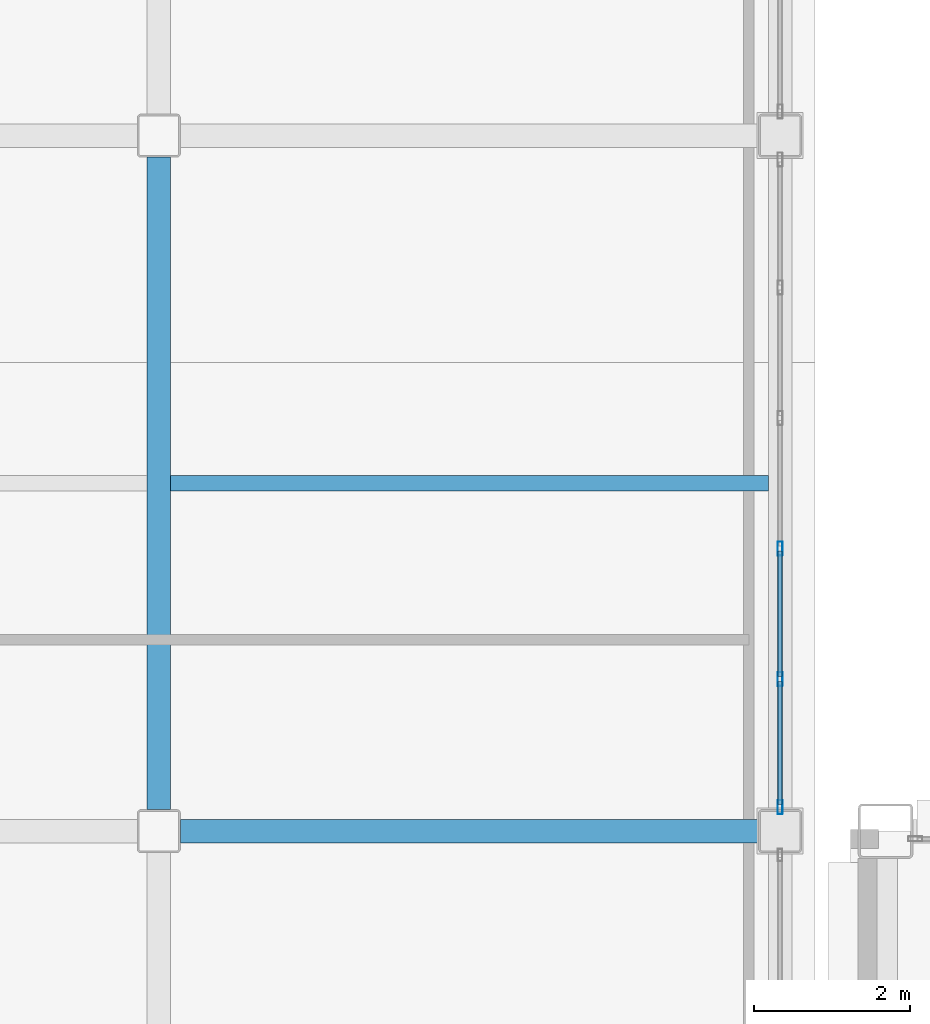
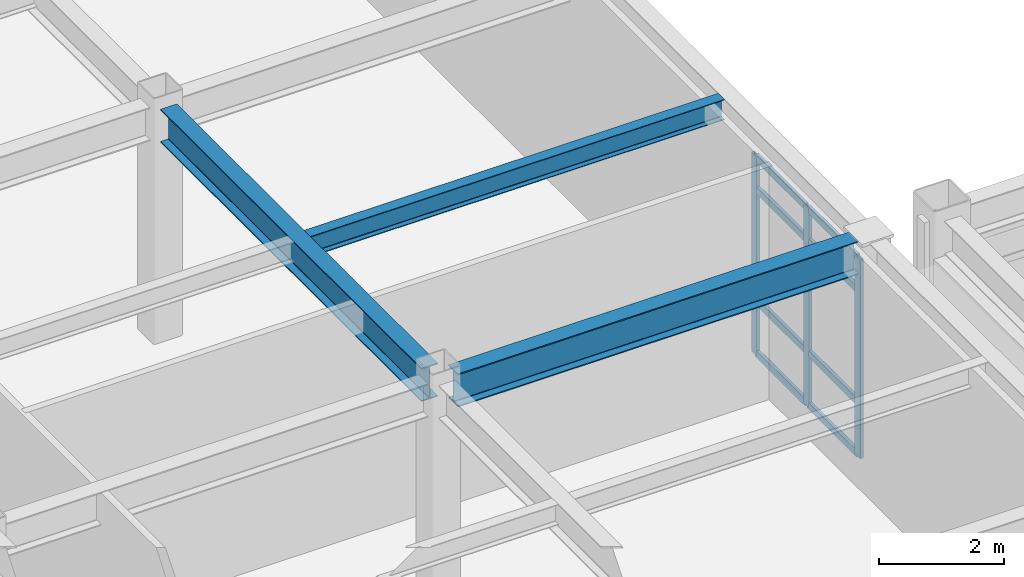
# One storey, part 56 of 154: 11 members, 3 beams, 1 element without a shape of its own.
"""IFC4 building model written with IfcOpenShell, lengths in metres."""

from ifc_helpers import new_model, si_unit, direction, frame, origin, origin_2d, place, context, subcontext, project, spatial, hollow_rectangle, i_section, extrude, material, layer, layer_set, material_profile, profile_set, type_object, element, aggregate, save


model = new_model("IFC4")

# Units and contexts
model_context = context("Model", 3, precision=1e-05, world=origin(), true_north=direction((0.0, 1.0)))
body_context = subcontext(model_context, "Body", "Model", "MODEL_VIEW")
ifc_project = project(units=[si_unit("LENGTHUNIT", "METRE"), si_unit("AREAUNIT", "SQUARE_METRE"), si_unit("VOLUMEUNIT", "CUBIC_METRE"), si_unit("PLANEANGLEUNIT", "RADIAN"), si_unit("MASSUNIT", "GRAM", prefix="KILO")], contexts=[model_context])

# Site, building, storey
site_placement = place(None, origin())
site = spatial("IfcSite", under=ifc_project, at=site_placement, CompositionType="ELEMENT")
building_placement = place(site_placement, origin())
building = spatial("IfcBuilding", under=site, at=building_placement, Name="Kazehara Bluff Congress Hotel", CompositionType="ELEMENT")
storey_placement = place(building_placement, frame((0.0, 0.0, 10.199951171875)))
storey = spatial("IfcBuildingStorey", under=building, at=storey_placement, Name="L02", CompositionType="ELEMENT", Elevation=10.199951171875)

# Curtain wall, members
ifc_material_1 = material(Name="Anodised aluminium", Category="aluminium")
ifc_layer = layer(ifc_material_1, 0.159912109375)
ifc_layer_set = layer_set([ifc_layer], Name="Anodised aluminium")
curtain_wall_type = type_object("IfcCurtainWallType", Name="TP-CW-58", PredefinedType="NOTDEFINED", material=ifc_layer_set)
curtain_wall_placement = place(storey_placement, origin())
curtain_wall = element("IfcCurtainWall", 1, at=curtain_wall_placement, inside=storey, type_object=curtain_wall_type, Name="L02 curtain wall CW-58 CW-V4-L02-X10920-3228", PredefinedType="NOTDEFINED")
ifc_material_2 = material(Name="Anodised aluminium", Category="aluminium")
ifc_material_profile_1 = material_profile(ifc_material_2, hollow_rectangle(XDim=0.06494140625, YDim=0.179931640625, WallThickness=0.00390625, InnerFilletRadius=0.00390625, OuterFilletRadius=0.008056640625, at=origin_2d()))
ifc_profile_set_1 = profile_set([ifc_material_profile_1], Name="Anodised aluminium")
member_type_1 = type_object("IfcMemberType", Name="TP-CWM-02", PredefinedType="MULLION", material=ifc_profile_set_1)
member_1_placement = place(storey_placement, frame((109.199951171875, 32.3076171875, 0.0), z_axis=(0.0, 0.0, 1.0), x_axis=(-1.0, 0.0, 0.0)))
member_1 = element("IfcMember", 2, at=member_1_placement, type_object=member_type_1, Name="CW-58 mullion 1", PredefinedType="MULLION", context=body_context, shape_type="SweptSolid", body=[
    extrude(hollow_rectangle(XDim=0.06494140625, YDim=0.179931640625, WallThickness=0.00390625, InnerFilletRadius=0.00390625, OuterFilletRadius=0.008056640625, at=origin_2d()), origin(), (0.0, 0.0, 1.0), 3.885009765625),
])
member_2_placement = place(storey_placement, frame((109.199951171875, 33.945068359375, 0.0), z_axis=(0.0, 0.0, 1.0), x_axis=(-1.0, 0.0, 0.0)))
member_2 = element("IfcMember", 3, at=member_2_placement, type_object=member_type_1, Name="CW-58 mullion 2", PredefinedType="MULLION", context=body_context, shape_type="SweptSolid", body=[
    extrude(hollow_rectangle(XDim=0.06494140625, YDim=0.179931640625, WallThickness=0.00390625, InnerFilletRadius=0.00390625, OuterFilletRadius=0.008056640625, at=origin_2d()), origin(), (0.0, 0.0, 1.0), 3.885009765625),
])
member_3_placement = place(storey_placement, frame((109.199951171875, 35.614990234375, 0.0), z_axis=(0.0, 0.0, 1.0), x_axis=(-1.0, 0.0, 0.0)))
member_3 = element("IfcMember", 4, at=member_3_placement, type_object=member_type_1, Name="CW-58 mullion 3", PredefinedType="MULLION", context=body_context, shape_type="SweptSolid", body=[
    extrude(hollow_rectangle(XDim=0.06494140625, YDim=0.179931640625, WallThickness=0.00390625, InnerFilletRadius=0.00390625, OuterFilletRadius=0.008056640625, at=origin_2d()), origin(), (0.0, 0.0, 1.0), 3.885009765625),
])
ifc_material_3 = material(Name="Anodised aluminium", Category="aluminium")
ifc_material_profile_2 = material_profile(ifc_material_3, hollow_rectangle(XDim=0.06494140625, YDim=0.139892578125, WallThickness=0.00390625, InnerFilletRadius=0.00390625, OuterFilletRadius=0.008056640625, at=origin_2d()))
ifc_profile_set_2 = profile_set([ifc_material_profile_2], Name="Anodised aluminium")
member_type_2 = type_object("IfcMemberType", Name="TP-CWT-02", PredefinedType="USERDEFINED", material=ifc_profile_set_2)
member_4_placement = place(storey_placement, frame((109.199951171875, 32.340087890625, 0.032470703125), z_axis=(0.0, 1.0, 0.0), x_axis=(-1.0, 0.0, 0.0)))
member_4 = element("IfcMember", 5, at=member_4_placement, type_object=member_type_2, Name="CW-58 transom 1.1", ObjectType="TRANSOM", PredefinedType="USERDEFINED", context=body_context, shape_type="SweptSolid", body=[
    extrude(hollow_rectangle(XDim=0.06494140625, YDim=0.139892578125, WallThickness=0.00390625, InnerFilletRadius=0.00390625, OuterFilletRadius=0.008056640625, at=origin_2d()), origin(), (0.0, 0.0, 1.0), 1.572509765625),
])
member_5_placement = place(storey_placement, frame((109.199951171875, 32.340087890625, 1.050048828125), z_axis=(0.0, 1.0, 0.0), x_axis=(-1.0, 0.0, 0.0)))
member_5 = element("IfcMember", 6, at=member_5_placement, type_object=member_type_2, Name="CW-58 transom 1.2", ObjectType="TRANSOM", PredefinedType="USERDEFINED", context=body_context, shape_type="SweptSolid", body=[
    extrude(hollow_rectangle(XDim=0.06494140625, YDim=0.139892578125, WallThickness=0.00390625, InnerFilletRadius=0.00390625, OuterFilletRadius=0.008056640625, at=origin_2d()), origin(), (0.0, 0.0, 1.0), 1.572509765625),
])
member_6_placement = place(storey_placement, frame((109.199951171875, 32.340087890625, 3.235107421875), z_axis=(0.0, 1.0, 0.0), x_axis=(-1.0, 0.0, 0.0)))
member_6 = element("IfcMember", 7, at=member_6_placement, type_object=member_type_2, Name="CW-58 transom 1.3", ObjectType="TRANSOM", PredefinedType="USERDEFINED", context=body_context, shape_type="SweptSolid", body=[
    extrude(hollow_rectangle(XDim=0.06494140625, YDim=0.139892578125, WallThickness=0.00390625, InnerFilletRadius=0.00390625, OuterFilletRadius=0.008056640625, at=origin_2d()), origin(), (0.0, 0.0, 1.0), 1.572509765625),
])
member_7_placement = place(storey_placement, frame((109.199951171875, 32.340087890625, 3.8525390625), z_axis=(0.0, 1.0, 0.0), x_axis=(-1.0, 0.0, 0.0)))
member_7 = element("IfcMember", 8, at=member_7_placement, type_object=member_type_2, Name="CW-58 transom 1.4", ObjectType="TRANSOM", PredefinedType="USERDEFINED", context=body_context, shape_type="SweptSolid", body=[
    extrude(hollow_rectangle(XDim=0.06494140625, YDim=0.139892578125, WallThickness=0.00390625, InnerFilletRadius=0.00390625, OuterFilletRadius=0.008056640625, at=origin_2d()), origin(), (0.0, 0.0, 1.0), 1.572509765625),
])
member_8_placement = place(storey_placement, frame((109.199951171875, 33.9775390625, 0.032470703125), z_axis=(0.0, 1.0, 0.0), x_axis=(-1.0, 0.0, 0.0)))
member_8 = element("IfcMember", 9, at=member_8_placement, type_object=member_type_2, Name="CW-58 transom 2.1", ObjectType="TRANSOM", PredefinedType="USERDEFINED", context=body_context, shape_type="SweptSolid", body=[
    extrude(hollow_rectangle(XDim=0.06494140625, YDim=0.139892578125, WallThickness=0.00390625, InnerFilletRadius=0.00390625, OuterFilletRadius=0.008056640625, at=origin_2d()), origin(), (0.0, 0.0, 1.0), 1.60498046875),
])
member_9_placement = place(storey_placement, frame((109.199951171875, 33.9775390625, 1.050048828125), z_axis=(0.0, 1.0, 0.0), x_axis=(-1.0, 0.0, 0.0)))
member_9 = element("IfcMember", 10, at=member_9_placement, type_object=member_type_2, Name="CW-58 transom 2.2", ObjectType="TRANSOM", PredefinedType="USERDEFINED", context=body_context, shape_type="SweptSolid", body=[
    extrude(hollow_rectangle(XDim=0.06494140625, YDim=0.139892578125, WallThickness=0.00390625, InnerFilletRadius=0.00390625, OuterFilletRadius=0.008056640625, at=origin_2d()), origin(), (0.0, 0.0, 1.0), 1.60498046875),
])
member_10_placement = place(storey_placement, frame((109.199951171875, 33.9775390625, 3.235107421875), z_axis=(0.0, 1.0, 0.0), x_axis=(-1.0, 0.0, 0.0)))
member_10 = element("IfcMember", 11, at=member_10_placement, type_object=member_type_2, Name="CW-58 transom 2.3", ObjectType="TRANSOM", PredefinedType="USERDEFINED", context=body_context, shape_type="SweptSolid", body=[
    extrude(hollow_rectangle(XDim=0.06494140625, YDim=0.139892578125, WallThickness=0.00390625, InnerFilletRadius=0.00390625, OuterFilletRadius=0.008056640625, at=origin_2d()), origin(), (0.0, 0.0, 1.0), 1.60498046875),
])
member_11_placement = place(storey_placement, frame((109.199951171875, 33.9775390625, 3.8525390625), z_axis=(0.0, 1.0, 0.0), x_axis=(-1.0, 0.0, 0.0)))
member_11 = element("IfcMember", 12, at=member_11_placement, type_object=member_type_2, Name="CW-58 transom 2.4", ObjectType="TRANSOM", PredefinedType="USERDEFINED", context=body_context, shape_type="SweptSolid", body=[
    extrude(hollow_rectangle(XDim=0.06494140625, YDim=0.139892578125, WallThickness=0.00390625, InnerFilletRadius=0.00390625, OuterFilletRadius=0.008056640625, at=origin_2d()), origin(), (0.0, 0.0, 1.0), 1.60498046875),
])
aggregate(curtain_wall, [member_1, member_2, member_3, member_4, member_5, member_6, member_7, member_8, member_9, member_10, member_11])

# Beams
ifc_material_4 = material(Name="Steel SN490B", Category="steel")
ifc_material_profile_3 = material_profile(ifc_material_4, i_section(OverallWidth=0.300048828125, OverallDepth=0.64990234375, WebThickness=0.011962890625, FlangeThickness=0.02001953125, FilletRadius=0.012939453125, at=origin_2d()))
ifc_profile_set_3 = profile_set([ifc_material_profile_3], Name="Steel SN490B")
beam_type_1 = type_object("IfcBeamType", Name="TP-G-03", PredefinedType="BEAM", material=ifc_profile_set_3)
beam_1_placement = place(storey_placement, frame((101.25, 32.27490234375, 4.235107421875), z_axis=(0.0, 1.0, 0.0), x_axis=(-1.0, 0.0, 0.0)))
element("IfcBeam", 13, at=beam_1_placement, inside=storey, type_object=beam_type_1, Name="L02 girder G-03 86", PredefinedType="BEAM", context=body_context, shape_type="SweptSolid", body=[
    extrude(i_section(OverallWidth=0.300048828125, OverallDepth=0.64990234375, WebThickness=0.011962890625, FlangeThickness=0.02001953125, FilletRadius=0.012939453125, at=origin_2d()), origin(), (0.0, 0.0, 1.0), 8.35009765625),
])
beam_2_placement = place(storey_placement, frame((101.52490234375, 32.0, 4.235107421875), z_axis=(1.0, 0.0, 0.0), x_axis=(0.0, 1.0, 0.0)))
element("IfcBeam", 14, at=beam_2_placement, inside=storey, type_object=beam_type_1, Name="L02 girder G-03 112", PredefinedType="BEAM", context=body_context, shape_type="SweptSolid", body=[
    extrude(i_section(OverallWidth=0.300048828125, OverallDepth=0.64990234375, WebThickness=0.011962890625, FlangeThickness=0.02001953125, FilletRadius=0.012939453125, at=origin_2d()), origin(), (0.0, 0.0, 1.0), 7.400146484375),
])
ifc_material_5 = material(Name="Steel SN400B", Category="steel")
ifc_material_profile_4 = material_profile(ifc_material_5, i_section(OverallWidth=0.199951171875, OverallDepth=0.39990234375, WebThickness=0.008056640625, FlangeThickness=0.012939453125, FilletRadius=0.012939453125, at=origin_2d()))
ifc_profile_set_4 = profile_set([ifc_material_profile_4], Name="Steel SN400B")
beam_type_2 = type_object("IfcBeamType", Name="TP-J-03", PredefinedType="JOIST", material=ifc_profile_set_4)
beam_3_placement = place(storey_placement, frame((101.39990234375, 36.449951171875, 4.360107421875), z_axis=(1.0, 0.0, 0.0), x_axis=(0.0, 1.0, 0.0)))
element("IfcBeam", 15, at=beam_3_placement, inside=storey, type_object=beam_type_2, Name="L02 secondary joist J-03 24", PredefinedType="JOIST", context=body_context, shape_type="SweptSolid", body=[
    extrude(i_section(OverallWidth=0.199951171875, OverallDepth=0.39990234375, WebThickness=0.008056640625, FlangeThickness=0.012939453125, FilletRadius=0.012939453125, at=origin_2d()), origin(), (0.0, 0.0, 1.0), 7.650146484375),
])

save(model, "model.ifc")
